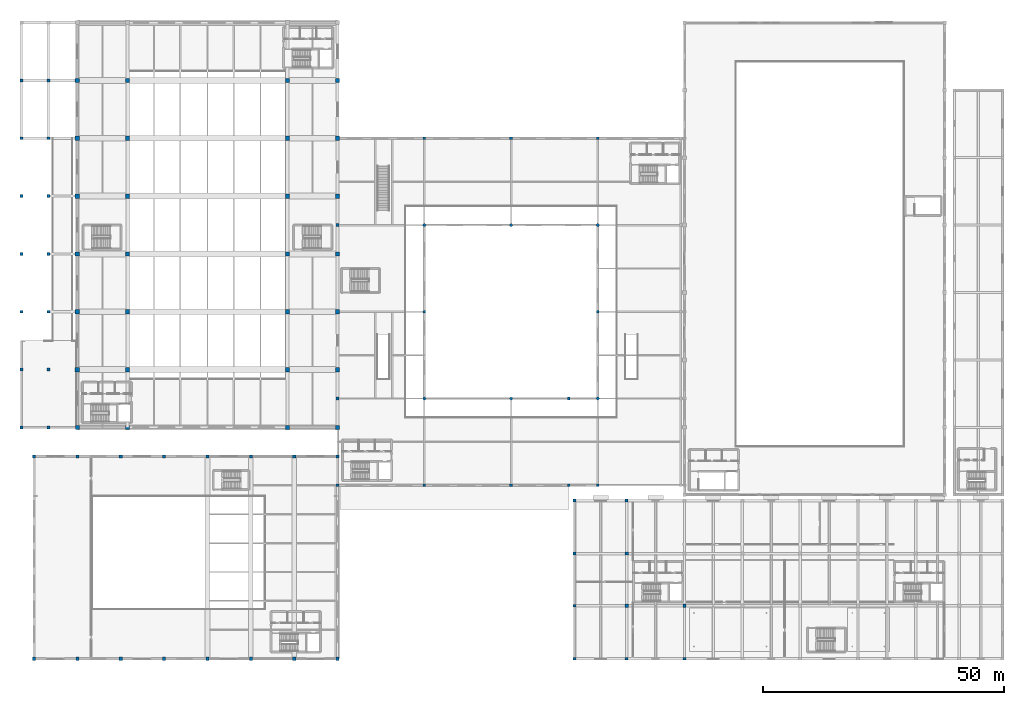
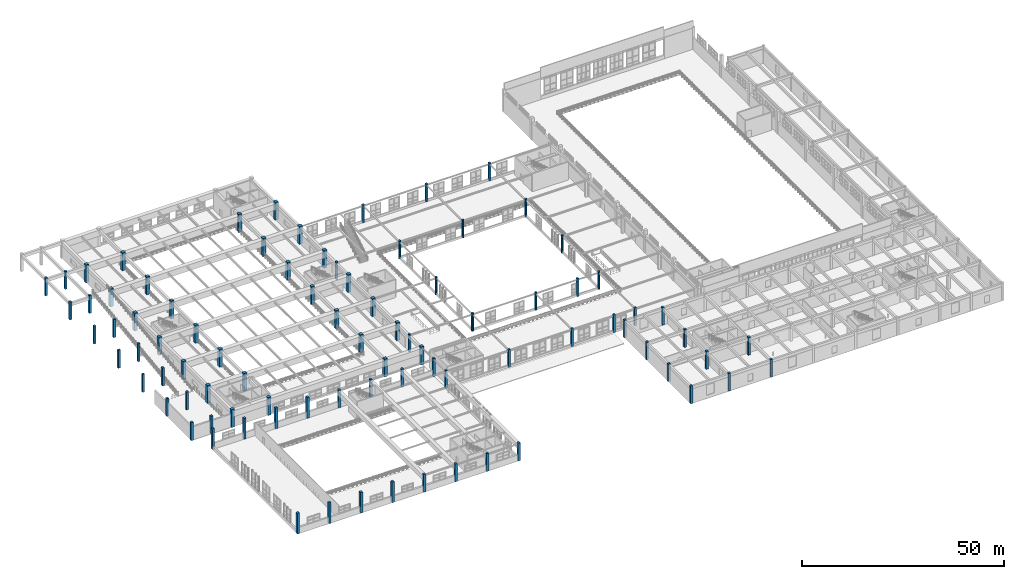
# One storey, part 1 of 197: 87 columns.
"""IFC4 building model written with IfcOpenShell, lengths in metres."""

from ifc_helpers import new_model, si_unit, derived_unit, direction, frame, origin, origin_2d, place, context, subcontext, project, spatial, rectangle, circle, extrude, material, material_profile, profile_set, type_object, element, save


model = new_model("IFC4")

# Units and contexts
model_context = context("Model", 3, precision=1e-05, world=origin(), true_north=direction((0.0, 1.0)))
body_context = subcontext(model_context, "Body", "Model", "MODEL_VIEW")
ifc_project = project(units=[si_unit("LENGTHUNIT", "METRE"), si_unit("AREAUNIT", "SQUARE_METRE"), si_unit("VOLUMEUNIT", "CUBIC_METRE"), si_unit("PLANEANGLEUNIT", "RADIAN"), si_unit("MASSUNIT", "GRAM", prefix="KILO"), derived_unit("THERMALTRANSMITTANCEUNIT", [(si_unit("POWERUNIT", "WATT"), 1), (si_unit("LENGTHUNIT", "METRE"), -2), (si_unit("THERMODYNAMICTEMPERATUREUNIT", "KELVIN"), -1)])], contexts=[model_context])

# Site, building, storey
site_placement = place(None, origin())
site = spatial("IfcSite", under=ifc_project, at=site_placement, CompositionType="ELEMENT")
building_placement = place(site_placement, origin())
building = spatial("IfcBuilding", under=site, at=building_placement, Name="Almenara Railside Exhibition Hall", CompositionType="ELEMENT")
storey_placement = place(building_placement, frame((0.0, 0.0, 5.39990234375)))
storey = spatial("IfcBuildingStorey", under=building, at=storey_placement, Name="L01", CompositionType="ELEMENT", Elevation=5.39990234375)

# Columns
ifc_material_1 = material(Name="Concrete C35/45", Category="concrete")
ifc_material_profile_1 = material_profile(ifc_material_1, circle(Radius=0.300048828125, at=origin_2d()), Name="RC-COL D600")
ifc_profile_set_1 = profile_set([ifc_material_profile_1], Name="Concrete C35/45")
column_type_1 = type_object("IfcColumnType", Name="Arcade Tuscan Column D600 C35/45", PredefinedType="COLUMN", material=ifc_profile_set_1)
for number, where, z_axis, x_axis, name in (
    (1, (84.0, 72.0, 0.0), (0.0, 0.0, 1.0), (1.0, 0.0, 0.0), "Column 0209"),
    (2, (102.0, 54.0, 0.0), (0.0, 0.0, 1.0), (1.0, 0.0, 0.0), "Column 0221"),
    (3, (102.0, 90.0, 0.0), (0.0, 0.0, 1.0), (1.0, 0.0, 0.0), "Column 0224"),
    (4, (120.0, 72.0, 0.0), (0.0, 0.0, 1.0), (1.0, 0.0, 0.0), "Column 0232"),
):
    element("IfcColumn", number, at=place(storey_placement, frame(where, z_axis=z_axis, x_axis=x_axis)), inside=storey, type_object=column_type_1, Name=name, PredefinedType="COLUMN", context=body_context, shape_type="SweptSolid", body=[
        extrude(circle(Radius=0.300048828125, at=origin_2d()), origin(), (0.0, 0.0, 1.0), 5.400146484375),
    ])
ifc_material_profile_2 = material_profile(ifc_material_1, circle(Radius=0.324951171875, at=origin_2d()), Name="RC-COL D650")
ifc_profile_set_2 = profile_set([ifc_material_profile_2], Name="Concrete C35/45")
column_type_2 = type_object("IfcColumnType", Name="Arcade Tuscan Column D650 C35/45", PredefinedType="COLUMN", material=ifc_profile_set_2)
for number, where, z_axis, x_axis, name in (
    (5, (84.0, 54.0, 0.0), (0.0, 0.0, 1.0), (1.0, 0.0, 0.0), "Column 0206"),
    (6, (84.0, 90.0, 0.0), (0.0, 0.0, 1.0), (1.0, 0.0, 0.0), "Column 0212"),
    (7, (120.0, 54.0, 0.0), (0.0, 0.0, 1.0), (1.0, 0.0, 0.0), "Column 0230"),
    (8, (120.0, 90.0, 0.0), (0.0, 0.0, 1.0), (1.0, 0.0, 0.0), "Column 0234"),
):
    element("IfcColumn", number, at=place(storey_placement, frame(where, z_axis=z_axis, x_axis=x_axis)), inside=storey, type_object=column_type_2, Name=name, PredefinedType="COLUMN", context=body_context, shape_type="SweptSolid", body=[
        extrude(circle(Radius=0.324951171875, at=origin_2d()), origin(), (0.0, 0.0, 1.0), 5.400146484375),
    ])
ifc_material_profile_3 = material_profile(ifc_material_1, rectangle(XDim=0.550048828125, YDim=0.550048828125, at=origin_2d()), Name="RC 550x550")
ifc_profile_set_3 = profile_set([ifc_material_profile_3], Name="Concrete C35/45")
column_type_3 = type_object("IfcColumnType", Name="RC Column 550x550 C35/45", PredefinedType="COLUMN", material=ifc_profile_set_3)
for number, where, z_axis, x_axis, name in (
    (9, (66.0, 36.0, 0.0), (0.0, 0.0, 1.0), (1.0, 0.0, 0.0), "Column 0194"),
    (10, (66.0, 54.0, 0.0), (0.0, 0.0, 1.0), (1.0, 0.0, 0.0), "Column 0197"),
    (11, (66.0, 90.0, 0.0), (0.0, 0.0, 1.0), (1.0, 0.0, 0.0), "Column 0200"),
    (12, (84.0, 36.0, 0.0), (0.0, 0.0, 1.0), (1.0, 0.0, 0.0), "Column 0203"),
    (13, (84.0, 108.0, 0.0), (0.0, 0.0, 1.0), (1.0, 0.0, 0.0), "Column 0215"),
    (14, (102.0, 36.0, 0.0), (0.0, 0.0, 1.0), (1.0, 0.0, 0.0), "Column 0218"),
    (15, (102.0, 108.0, 0.0), (0.0, 0.0, 1.0), (1.0, 0.0, 0.0), "Column 0226"),
    (16, (120.0, 36.0, 0.0), (0.0, 0.0, 1.0), (1.0, 0.0, 0.0), "Column 0228"),
    (17, (120.0, 108.0, 0.0), (0.0, 0.0, 1.0), (1.0, 0.0, 0.0), "Column 0236"),
    (18, (114.0, 36.0, 0.0), (0.0, 0.0, 1.0), (1.0, 0.0, 0.0), "Column 0496"),
    (19, (114.0, 54.0, 0.0), (0.0, 0.0, 1.0), (1.0, 0.0, 0.0), "Column 0499"),
):
    element("IfcColumn", number, at=place(storey_placement, frame(where, z_axis=z_axis, x_axis=x_axis)), inside=storey, type_object=column_type_3, Name=name, PredefinedType="COLUMN", context=body_context, shape_type="SweptSolid", body=[
        extrude(rectangle(XDim=0.550048828125, YDim=0.550048828125, at=origin_2d()), origin(), (0.0, 0.0, 1.0), 5.400146484375),
    ])
ifc_material_profile_4 = material_profile(ifc_material_1, rectangle(XDim=0.60009765625, YDim=0.60009765625, at=origin_2d()), Name="RC 600x600")
ifc_profile_set_4 = profile_set([ifc_material_profile_4], Name="Concrete C35/45")
column_type_4 = type_object("IfcColumnType", Name="RC Column 600x600 C35/45", PredefinedType="COLUMN", material=ifc_profile_set_4)
for number, where, z_axis, x_axis, name in (
    (20, (0.39990234375, 48.0, 0.0), (0.0, 0.0, 1.0), (1.0, 0.0, 0.0), "Column 0246"),
    (21, (6.0, 48.0, 0.0), (0.0, 0.0, 1.0), (1.0, 0.0, 0.0), "Column 0248"),
    (22, (0.39990234375, 60.0, 0.0), (0.0, 0.0, 1.0), (1.0, 0.0, 0.0), "Column 0250"),
    (23, (6.0, 60.0, 0.0), (0.0, 0.0, 1.0), (1.0, 0.0, 0.0), "Column 0252"),
    (24, (0.39990234375, 72.0, 0.0), (0.0, 0.0, 1.0), (1.0, 0.0, 0.0), "Column 0254"),
    (25, (6.0, 72.0, 0.0), (0.0, 0.0, 1.0), (1.0, 0.0, 0.0), "Column 0256"),
    (26, (0.39990234375, 84.0, 0.0), (0.0, 0.0, 1.0), (1.0, 0.0, 0.0), "Column 0258"),
    (27, (6.0, 84.0, 0.0), (0.0, 0.0, 1.0), (1.0, 0.0, 0.0), "Column 0260"),
    (28, (0.39990234375, 96.0, 0.0), (0.0, 0.0, 1.0), (1.0, 0.0, 0.0), "Column 0262"),
    (29, (6.0, 96.0, 0.0), (0.0, 0.0, 1.0), (1.0, 0.0, 0.0), "Column 0265"),
    (30, (0.39990234375, 108.0, 0.0), (0.0, 0.0, 1.0), (1.0, 0.0, 0.0), "Column 0268"),
    (31, (6.0, 108.0, 0.0), (0.0, 0.0, 1.0), (1.0, 0.0, 0.0), "Column 0271"),
    (32, (0.39990234375, 120.0, 0.0), (0.0, 0.0, 1.0), (1.0, 0.0, 0.0), "Column 0274"),
    (33, (6.0, 120.0, 0.0), (0.0, 0.0, 1.0), (1.0, 0.0, 0.0), "Column 0277"),
    (34, (115.199951171875, 0.0, 0.0), (0.0, 0.0, 1.0), (1.0, 0.0, 0.0), "Column 0287"),
    (35, (115.199951171875, 11.0, 0.0), (0.0, 0.0, 1.0), (1.0, 0.0, 0.0), "Column 0291"),
    (36, (115.199951171875, 21.800048828125, 0.0), (0.0, 0.0, 1.0), (1.0, 0.0, 0.0), "Column 0295"),
    (37, (115.199951171875, 32.800048828125, 0.0), (0.0, 0.0, 1.0), (1.0, 0.0, 0.0), "Column 0299"),
    (38, (126.0, 0.0, 0.0), (0.0, 0.0, 1.0), (1.0, 0.0, 0.0), "Column 0303"),
    (39, (126.0, 32.800048828125, 0.0), (0.0, 0.0, 1.0), (1.0, 0.0, 0.0), "Column 0318"),
    (40, (138.0, 0.0, 0.0), (0.0, 0.0, 1.0), (1.0, 0.0, 0.0), "Column 0322"),
):
    element("IfcColumn", number, at=place(storey_placement, frame(where, z_axis=z_axis, x_axis=x_axis)), inside=storey, type_object=column_type_4, Name=name, PredefinedType="COLUMN", context=body_context, shape_type="SweptSolid", body=[
        extrude(rectangle(XDim=0.60009765625, YDim=0.60009765625, at=origin_2d()), origin(), (0.0, 0.0, 1.0), 5.400146484375),
    ])
ifc_material_profile_5 = material_profile(ifc_material_1, rectangle(XDim=0.64990234375, YDim=0.64990234375, at=origin_2d()), Name="RC 650x650")
ifc_profile_set_5 = profile_set([ifc_material_profile_5], Name="Concrete C35/45")
column_type_5 = type_object("IfcColumnType", Name="RC Column 650x650 C35/45", PredefinedType="COLUMN", material=ifc_profile_set_5)
for number, where, z_axis, x_axis, name in (
    (41, (3.0, 0.0, 0.0), (0.0, 0.0, 1.0), (1.0, 0.0, 0.0), "Column 0138"),
    (42, (3.0, 42.0, 0.0), (0.0, 0.0, 1.0), (1.0, 0.0, 0.0), "Column 0140"),
    (43, (12.0, 0.0, 0.0), (0.0, 0.0, 1.0), (1.0, 0.0, 0.0), "Column 0144"),
    (44, (12.0, 42.0, 0.0), (0.0, 0.0, 1.0), (1.0, 0.0, 0.0), "Column 0146"),
    (45, (21.0, 0.0, 0.0), (0.0, 0.0, 1.0), (1.0, 0.0, 0.0), "Column 0150"),
    (46, (21.0, 42.0, 0.0), (0.0, 0.0, 1.0), (1.0, 0.0, 0.0), "Column 0152"),
    (47, (30.0, 0.0, 0.0), (0.0, 0.0, 1.0), (1.0, 0.0, 0.0), "Column 0156"),
    (48, (30.0, 42.0, 0.0), (0.0, 0.0, 1.0), (1.0, 0.0, 0.0), "Column 0158"),
):
    element("IfcColumn", number, at=place(storey_placement, frame(where, z_axis=z_axis, x_axis=x_axis)), inside=storey, type_object=column_type_5, Name=name, PredefinedType="COLUMN", context=body_context, shape_type="SweptSolid", body=[
        extrude(rectangle(XDim=0.64990234375, YDim=0.64990234375, at=origin_2d()), origin(), (0.0, 0.0, 1.0), 6.300048828125),
    ])
for number, where, z_axis, x_axis, name in (
    (49, (39.0, 0.0, 0.0), (0.0, 0.0, 1.0), (1.0, 0.0, 0.0), "Column 0162"),
    (50, (39.0, 42.0, 0.0), (0.0, 0.0, 1.0), (1.0, 0.0, 0.0), "Column 0165"),
    (51, (48.0, 0.0, 0.0), (0.0, 0.0, 1.0), (1.0, 0.0, 0.0), "Column 0170"),
    (52, (48.0, 42.0, 0.0), (0.0, 0.0, 1.0), (1.0, 0.0, 0.0), "Column 0173"),
    (53, (57.0, 0.0, 0.0), (0.0, 0.0, 1.0), (1.0, 0.0, 0.0), "Column 0178"),
    (54, (57.0, 42.0, 0.0), (0.0, 0.0, 1.0), (1.0, 0.0, 0.0), "Column 0181"),
    (55, (66.0, 0.0, 0.0), (0.0, 0.0, 1.0), (1.0, 0.0, 0.0), "Column 0186"),
    (56, (66.0, 42.0, 0.0), (0.0, 0.0, 1.0), (1.0, 0.0, 0.0), "Column 0189"),
    (57, (126.0, 11.0, 0.0), (0.0, 0.0, 1.0), (1.0, 0.0, 0.0), "Column 0308"),
    (58, (126.0, 21.800048828125, 0.0), (0.0, 0.0, 1.0), (1.0, 0.0, 0.0), "Column 0313"),
    (59, (138.0, 11.0, 0.0), (0.0, 0.0, 1.0), (1.0, 0.0, 0.0), "Column 0327"),
):
    element("IfcColumn", number, at=place(storey_placement, frame(where, z_axis=z_axis, x_axis=x_axis)), inside=storey, type_object=column_type_5, Name=name, PredefinedType="COLUMN", context=body_context, shape_type="SweptSolid", body=[
        extrude(rectangle(XDim=0.64990234375, YDim=0.64990234375, at=origin_2d()), origin(), (0.0, 0.0, 1.0), 5.400146484375),
    ])
ifc_material_2 = material(Name="Concrete C40/50", Category="concrete")
ifc_material_profile_6 = material_profile(ifc_material_2, rectangle(XDim=0.85009765625, YDim=0.85009765625, at=origin_2d()), Name="RC 850x850")
ifc_profile_set_6 = profile_set([ifc_material_profile_6], Name="Concrete C40/50")
column_type_6 = type_object("IfcColumnType", Name="RC Column 850x850 C40/50", PredefinedType="COLUMN", material=ifc_profile_set_6)
for number, where, z_axis, x_axis, name in (
    (60, (12.0, 48.0, 0.0), (0.0, 0.0, 1.0), (1.0, 0.0, 0.0), "Column 0002"),
    (61, (66.0, 48.0, 0.0), (0.0, 0.0, 1.0), (1.0, 0.0, 0.0), "Column 0005"),
    (62, (22.39990234375, 48.0, 0.0), (0.0, 0.0, 1.0), (1.0, 0.0, 0.0), "Column 0008"),
    (63, (55.60009765625, 48.0, 0.0), (0.0, 0.0, 1.0), (1.0, 0.0, 0.0), "Column 0011"),
):
    element("IfcColumn", number, at=place(storey_placement, frame(where, z_axis=z_axis, x_axis=x_axis)), inside=storey, type_object=column_type_6, Name=name, PredefinedType="COLUMN", context=body_context, shape_type="SweptSolid", body=[
        extrude(rectangle(XDim=0.85009765625, YDim=0.85009765625, at=origin_2d()), origin(), (0.0, 0.0, 1.0), 5.400146484375),
    ])
ifc_material_profile_7 = material_profile(ifc_material_2, rectangle(XDim=0.89990234375, YDim=0.89990234375, at=origin_2d()), Name="RC 900x900")
ifc_profile_set_7 = profile_set([ifc_material_profile_7], Name="Concrete C40/50")
column_type_7 = type_object("IfcColumnType", Name="RC Column 900x900 C40/50", PredefinedType="COLUMN", material=ifc_profile_set_7)
for number, where, z_axis, x_axis, name in (
    (64, (12.0, 60.0, 0.0), (0.0, 0.0, 1.0), (1.0, 0.0, 0.0), "Column 0014"),
    (65, (66.0, 60.0, 0.0), (0.0, 0.0, 1.0), (1.0, 0.0, 0.0), "Column 0017"),
    (66, (22.39990234375, 60.0, 0.0), (0.0, 0.0, 1.0), (1.0, 0.0, 0.0), "Column 0020"),
    (67, (55.60009765625, 60.0, 0.0), (0.0, 0.0, 1.0), (1.0, 0.0, 0.0), "Column 0022"),
    (68, (12.0, 72.0, 0.0), (0.0, 0.0, 1.0), (1.0, 0.0, 0.0), "Column 0024"),
    (69, (66.0, 72.0, 0.0), (0.0, 0.0, 1.0), (1.0, 0.0, 0.0), "Column 0027"),
    (70, (22.39990234375, 72.0, 0.0), (0.0, 0.0, 1.0), (1.0, 0.0, 0.0), "Column 0030"),
    (71, (55.60009765625, 72.0, 0.0), (0.0, 0.0, 1.0), (1.0, 0.0, 0.0), "Column 0032"),
    (72, (12.0, 84.0, 0.0), (0.0, 0.0, 1.0), (1.0, 0.0, 0.0), "Column 0034"),
    (73, (66.0, 84.0, 0.0), (0.0, 0.0, 1.0), (1.0, 0.0, 0.0), "Column 0037"),
    (74, (22.39990234375, 84.0, 0.0), (0.0, 0.0, 1.0), (1.0, 0.0, 0.0), "Column 0040"),
    (75, (55.60009765625, 84.0, 0.0), (0.0, 0.0, 1.0), (1.0, 0.0, 0.0), "Column 0042"),
    (76, (12.0, 96.0, 0.0), (0.0, 0.0, 1.0), (1.0, 0.0, 0.0), "Column 0044"),
    (77, (66.0, 96.0, 0.0), (0.0, 0.0, 1.0), (1.0, 0.0, 0.0), "Column 0047"),
    (78, (22.39990234375, 96.0, 0.0), (0.0, 0.0, 1.0), (1.0, 0.0, 0.0), "Column 0050"),
    (79, (55.60009765625, 96.0, 0.0), (0.0, 0.0, 1.0), (1.0, 0.0, 0.0), "Column 0052"),
    (80, (12.0, 108.0, 0.0), (0.0, 0.0, 1.0), (1.0, 0.0, 0.0), "Column 0054"),
    (81, (66.0, 108.0, 0.0), (0.0, 0.0, 1.0), (1.0, 0.0, 0.0), "Column 0057"),
    (82, (22.39990234375, 108.0, 0.0), (0.0, 0.0, 1.0), (1.0, 0.0, 0.0), "Column 0060"),
    (83, (55.60009765625, 108.0, 0.0), (0.0, 0.0, 1.0), (1.0, 0.0, 0.0), "Column 0062"),
    (84, (12.0, 120.0, 0.0), (0.0, 0.0, 1.0), (1.0, 0.0, 0.0), "Column 0064"),
    (85, (66.0, 120.0, 0.0), (0.0, 0.0, 1.0), (1.0, 0.0, 0.0), "Column 0067"),
    (86, (22.39990234375, 120.0, 0.0), (0.0, 0.0, 1.0), (1.0, 0.0, 0.0), "Column 0070"),
    (87, (55.60009765625, 120.0, 0.0), (0.0, 0.0, 1.0), (1.0, 0.0, 0.0), "Column 0072"),
):
    element("IfcColumn", number, at=place(storey_placement, frame(where, z_axis=z_axis, x_axis=x_axis)), inside=storey, type_object=column_type_7, Name=name, PredefinedType="COLUMN", context=body_context, shape_type="SweptSolid", body=[
        extrude(rectangle(XDim=0.89990234375, YDim=0.89990234375, at=origin_2d()), origin(), (0.0, 0.0, 1.0), 5.400146484375),
    ])

save(model, "model.ifc")
